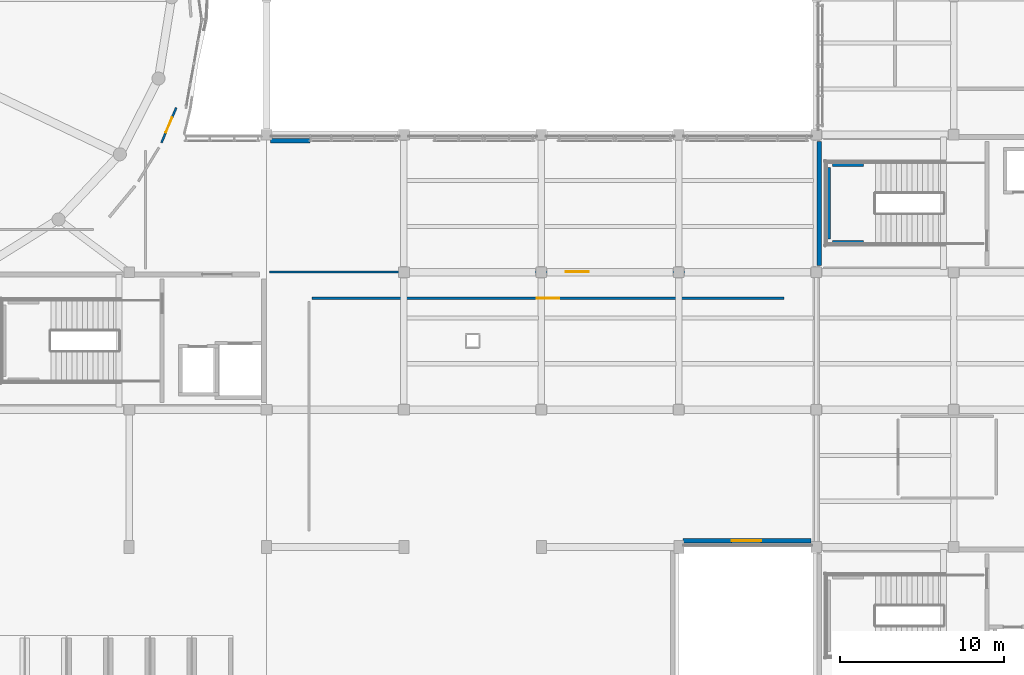
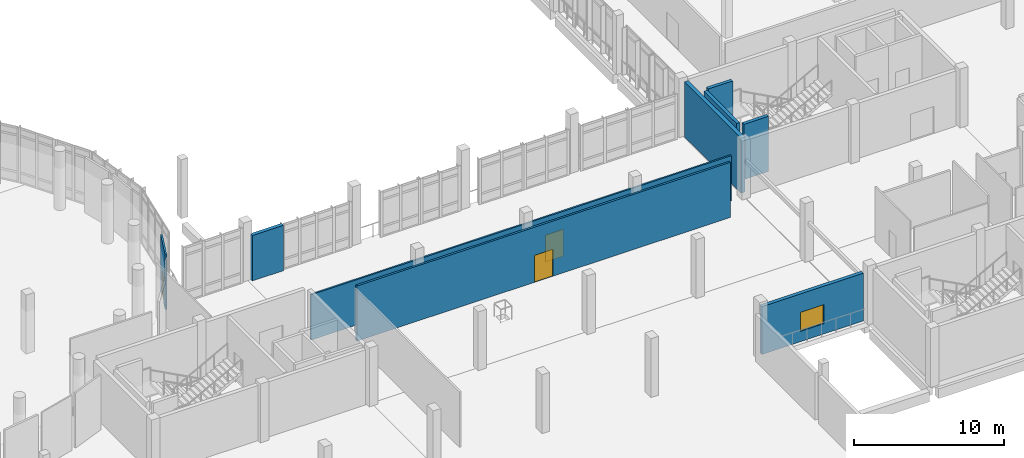
# One storey, part 43 of 63: 9 walls, 3 doors, 1 window, 4 openings.
"""IFC4 building model written with IfcOpenShell, lengths in metres."""

from ifc_helpers import new_model, si_unit, derived_unit, direction, frame, frame_2d, origin, place, context, subcontext, project, spatial, rectangle, extrude, material, layer, layer_set, type_object, element, fill, save


model = new_model("IFC4")

# Units and contexts
model_context = context("Model", 3, precision=1e-05, world=origin(), true_north=direction((0.0, 1.0)))
body_context = subcontext(model_context, "Body", "Model", "MODEL_VIEW")
ifc_project = project(units=[si_unit("LENGTHUNIT", "METRE"), si_unit("AREAUNIT", "SQUARE_METRE"), si_unit("VOLUMEUNIT", "CUBIC_METRE"), si_unit("PLANEANGLEUNIT", "RADIAN"), si_unit("MASSUNIT", "GRAM", prefix="KILO"), derived_unit("THERMALTRANSMITTANCEUNIT", [(si_unit("POWERUNIT", "WATT"), 1), (si_unit("LENGTHUNIT", "METRE"), -2), (si_unit("THERMODYNAMICTEMPERATUREUNIT", "KELVIN"), -1)])], contexts=[model_context])

# Site, building, storey
site_placement = place(None, origin())
site = spatial("IfcSite", under=ifc_project, at=site_placement, CompositionType="ELEMENT")
building_placement = place(site_placement, origin())
building = spatial("IfcBuilding", under=site, at=building_placement, Name="Elbkamm Science Centre", CompositionType="ELEMENT")
storey_placement = place(building_placement, frame((0.0, 0.0, 5.10009765625)))
storey = spatial("IfcBuildingStorey", under=building, at=storey_placement, Name="L01", CompositionType="ELEMENT", Elevation=5.10009765625)

# Walls
ifc_material_1 = material(Name="Reinforced concrete C40/50", Category="concrete")
ifc_layer_1 = layer(ifc_material_1, 0.25)
ifc_layer_set_1 = layer_set([ifc_layer_1], Name="Reinforced concrete C40/50")
wall_type_1 = type_object("IfcWallType", Name="WL-CORE-250", PredefinedType="SHEAR", material=ifc_layer_set_1)
wall_1_placement = place(storey_placement, frame((126.739990234375, 52.419921875, 0.0), z_axis=(0.0, 0.0, 1.0), x_axis=(0.0, 1.0, 0.0)))
element("IfcWall", 1, at=wall_1_placement, inside=storey, type_object=wall_type_1, Name="L01 ST-C3 Shaft Bearing Wall W", PredefinedType="SHEAR", context=body_context, shape_type="SweptSolid", body=[
    extrude(rectangle(XDim=4.360107421875, YDim=0.25, at=frame_2d((2.18017578125, 0.0))), origin(), (0.0, 0.0, 1.0), 4.5),
])
for number, where, z_axis, x_axis, name in (
    (2, (126.989990234375, 52.219970703125, 0.0), (0.0, 0.0, 1.0), (1.0, 0.0, 0.0), "L01 ST-C3 Shaft Bearing Wall S"),
    (3, (126.989990234375, 56.97998046875, 0.0), (0.0, 0.0, 1.0), (1.0, 0.0, 0.0), "L01 ST-C3 Shaft Bearing Wall N"),
):
    element("IfcWall", number, at=place(storey_placement, frame(where, z_axis=z_axis, x_axis=x_axis)), inside=storey, type_object=wall_type_1, Name=name, PredefinedType="SHEAR", context=body_context, shape_type="SweptSolid", body=[
        extrude(rectangle(XDim=1.889892578125, YDim=0.25, at=frame_2d((0.94482421875, 0.0))), origin(), (0.0, 0.0, 1.0), 4.5),
    ])
ifc_layer_2 = layer(ifc_material_1, 0.300048828125)
ifc_layer_set_2 = layer_set([ifc_layer_2], Name="Reinforced concrete C40/50")
wall_type_2 = type_object("IfcWallType", Name="WL-CORE-300", PredefinedType="SHEAR", material=ifc_layer_set_2)
wall_2_placement = place(storey_placement, frame((126.179931640625, 50.820068359375, 0.0), z_axis=(0.0, 0.0, 1.0), x_axis=(0.0, 1.0, 0.0)))
element("IfcWall", 4, at=wall_2_placement, inside=storey, type_object=wall_type_2, Name="L01 Core C3 Northeast Laboratories and Observatory Core Shear Wall W", PredefinedType="SHEAR", context=body_context, shape_type="SweptSolid", body=[
    extrude(rectangle(XDim=7.559814453125, YDim=0.300048828125, at=frame_2d((3.77978515625, 0.0))), origin(), (0.0, 0.0, 1.0), 4.5),
])
ifc_material_2 = material(Name="White precast concrete C40/50", Category="concrete")
ifc_layer_3 = layer(ifc_material_2, 0.27001953125)
ifc_layer_set_3 = layer_set([ifc_layer_3], Name="White precast concrete C40/50")
wall_type_3 = type_object("IfcWallType", Name="WL-EXT-270", PredefinedType="SOLIDWALL", material=ifc_layer_set_3)
wall_3_placement = place(storey_placement, frame((92.63916015625, 58.419921875, 0.0), z_axis=(0.0, 0.0, 1.0), x_axis=(1.0, 0.0, 0.0)))
element("IfcWall", 5, at=wall_3_placement, inside=storey, type_object=wall_type_3, Name="L01 Exterior Wall 0183", PredefinedType="SOLIDWALL", context=body_context, shape_type="SweptSolid", body=[
    extrude(rectangle(XDim=2.405029296875, YDim=0.27001953125, at=frame_2d((1.20263671875, 0.0))), origin(), (0.0, 0.0, 1.0), 3.699951171875),
])

# Wall, opening, window
wall_4_placement = place(storey_placement, frame((125.673095703125, 33.97998046875, 0.0), z_axis=(0.0, 0.0, 1.0), x_axis=(-1.0, 0.0, 0.0)))
wall_4 = element("IfcWall", 6, at=wall_4_placement, inside=storey, type_object=wall_type_3, Name="L01 Exterior Wall 0187", PredefinedType="SOLIDWALL", context=body_context, shape_type="SweptSolid", body=[
    extrude(rectangle(XDim=7.833984375, YDim=0.27001953125, at=frame_2d((3.9169921875, 0.0))), origin(), (0.0, 0.0, 1.0), 3.89990234375),
])
opening_1_placement = place(wall_4_placement, frame((3.052001953125, 0.0, 0.85009765625)))
opening_1 = element("IfcOpeningElement", 7, at=opening_1_placement, cuts=wall_4, Name="Opening W-11", PredefinedType="OPENING", context=body_context, shape_type="SweptSolid", body=[
    extrude(rectangle(XDim=1.800048828125, YDim=1.550048828125, at=frame_2d((0.89990234375, 0.77490234375))), frame((0.0, 0.14697265625, 0.0), z_axis=(0.0, -1.0, 0.0), x_axis=(1.0, 0.0, 0.0)), (0.0, 0.0, 1.0), 0.2939453125),
])
ifc_material_3 = material(Name="Thermally broken aluminium and triple solar glass", Category="aluminium")
ifc_layer_4 = layer(ifc_material_3, 0.06005859375)
ifc_layer_set_4 = layer_set([ifc_layer_4], Name="Thermally broken aluminium and triple solar glass")
window_type = type_object("IfcWindowType", Name="WIN-1800x1550", PartitioningType="DOUBLE_PANEL_VERTICAL", PredefinedType="WINDOW", material=ifc_layer_set_4)
window_placement = place(opening_1_placement, origin())
window = element("IfcWindow", 8, at=window_placement, inside=storey, type_object=window_type, Name="L01 Facade Window 0030", OverallHeight=1.550048828125, OverallWidth=1.800048828125, PartitioningType="SINGLE_PANEL", PredefinedType="WINDOW", context=body_context, shape_type="SweptSolid", body=[
    extrude(rectangle(XDim=1.800048828125, YDim=1.550048828125, at=frame_2d((0.89990234375, 0.77490234375))), frame((0.0, 0.030029296875, 0.0), z_axis=(0.0, -1.0, 0.0), x_axis=(1.0, 0.0, 0.0)), (0.0, 0.0, 1.0), 0.06005859375),
])
fill(opening_1, window)

# Wall, opening, door
ifc_material_4 = material(Name="Lightweight metal-stud gypsum partition", Category="gypsum")
ifc_layer_5 = layer(ifc_material_4, 0.125)
ifc_layer_set_5 = layer_set([ifc_layer_5], Name="Lightweight metal-stud gypsum partition")
wall_type_4 = type_object("IfcWallType", Name="WL-PART-125", PredefinedType="PARTITIONING", material=ifc_layer_set_5)
wall_5_placement = place(storey_placement, frame((86.88525390625, 60.457763671875, 0.0), z_axis=(0.0, 0.0, 1.0), x_axis=(-0.388038245824, -0.921643271433, 0.0)))
wall_5 = element("IfcWall", 9, at=wall_5_placement, inside=storey, type_object=wall_type_4, Name="L01 Marine Ecology Exhibition Hall Partition 0110", PredefinedType="PARTITIONING", context=body_context, shape_type="SweptSolid", body=[
    extrude(rectangle(XDim=2.327880859375, YDim=0.125, at=frame_2d((1.1640625, 0.0))), origin(), (0.0, 0.0, 1.0), 4.5),
])
opening_2_placement = place(wall_5_placement, frame((0.663818359375, 0.0, 0.0)))
opening_2 = element("IfcOpeningElement", 10, at=opening_2_placement, cuts=wall_5, Name="Opening DI-08", PredefinedType="OPENING", context=body_context, shape_type="SweptSolid", body=[
    extrude(rectangle(XDim=1.0, YDim=2.14990234375, at=frame_2d((0.5, 1.074951171875))), frame((0.0, 0.074462890625, 0.0), z_axis=(0.0, -1.0, 0.0), x_axis=(1.0, 0.0, 0.0)), (0.0, 0.0, 1.0), 0.14892578125),
])
ifc_material_5 = material(Name="Acoustic oak veneer door")
ifc_layer_6 = layer(ifc_material_5, 0.050048828125)
ifc_layer_set_6 = layer_set([ifc_layer_6], Name="Acoustic oak veneer door")
door_type_1 = type_object("IfcDoorType", Name="DR-INT-1000x2150", OperationType="NOTDEFINED", PredefinedType="DOOR", material=ifc_layer_set_6)
door_1_placement = place(opening_2_placement, origin())
door_1 = element("IfcDoor", 11, at=door_1_placement, inside=storey, type_object=door_type_1, Name="L01 Marine Ecology Exhibition Hall Door", OperationType="SINGLE_SWING_LEFT", OverallHeight=2.14990234375, OverallWidth=1.0, PredefinedType="DOOR", context=body_context, shape_type="SweptSolid", body=[
    extrude(rectangle(XDim=1.0, YDim=2.14990234375, at=frame_2d((0.5, 1.074951171875))), frame((0.0, 0.02490234375, 0.0), z_axis=(0.0, -1.0, 0.0), x_axis=(1.0, 0.0, 0.0)), (0.0, 0.0, 1.0), 0.050048828125),
])
fill(opening_2, door_1)

wall_6_placement = place(storey_placement, frame((125.02001953125, 50.419921875, 0.0), z_axis=(0.0, 0.0, 1.0), x_axis=(-1.0, 0.0, 0.0)))
wall_6 = element("IfcWall", 12, at=wall_6_placement, inside=storey, type_object=wall_type_4, Name="L01 Warft Plinth Discovery Concourse Partition 0126", PredefinedType="PARTITIONING", context=body_context, shape_type="SweptSolid", body=[
    extrude(rectangle(XDim=32.43994140625, YDim=0.125, at=frame_2d((16.219970703125, 0.0))), origin(), (0.0, 0.0, 1.0), 3.699951171875),
])
opening_3_placement = place(wall_6_placement, frame((12.9248046875, 0.0, 0.0)))
opening_3 = element("IfcOpeningElement", 13, at=opening_3_placement, cuts=wall_6, Name="Opening DI-03", PredefinedType="OPENING", context=body_context, shape_type="SweptSolid", body=[
    extrude(rectangle(XDim=1.39990234375, YDim=2.199951171875, at=frame_2d((0.699951171875, 1.10009765625))), frame((0.0, 0.074462890625, 0.0), z_axis=(0.0, -1.0, 0.0), x_axis=(1.0, 0.0, 0.0)), (0.0, 0.0, 1.0), 0.14892578125),
])
ifc_layer_7 = layer(ifc_material_5, 0.050048828125)
ifc_layer_set_7 = layer_set([ifc_layer_7], Name="Acoustic oak veneer door")
door_type_2 = type_object("IfcDoorType", Name="DR-INT-1400x2200", OperationType="DOUBLE_DOOR_SINGLE_SWING", PredefinedType="DOOR", material=ifc_layer_set_7)
door_2_placement = place(opening_3_placement, origin())
door_2 = element("IfcDoor", 14, at=door_2_placement, inside=storey, type_object=door_type_2, Name="L01 Warft Plinth Discovery Concourse Door", OperationType="DOUBLE_DOOR_SINGLE_SWING", OverallHeight=2.199951171875, OverallWidth=1.39990234375, PredefinedType="DOOR", context=body_context, shape_type="SweptSolid", body=[
    extrude(rectangle(XDim=1.39990234375, YDim=2.199951171875, at=frame_2d((0.699951171875, 1.10009765625))), frame((0.0, 0.02490234375, 0.0), z_axis=(0.0, -1.0, 0.0), x_axis=(1.0, 0.0, 0.0)), (0.0, 0.0, 1.0), 0.050048828125),
])
fill(opening_3, door_2)

ifc_material_6 = material(Name="Acoustic metal-stud gypsum partition", Category="gypsum")
ifc_layer_8 = layer(ifc_material_6, 0.159912109375)
ifc_layer_set_8 = layer_set([ifc_layer_8], Name="Acoustic metal-stud gypsum partition")
wall_type_5 = type_object("IfcWallType", Name="WL-PART-160", PredefinedType="PARTITIONING", material=ifc_layer_set_8)
wall_7_placement = place(storey_placement, frame((95.179931640625, 48.800048828125, 0.0), z_axis=(0.0, 0.0, 1.0), x_axis=(1.0, 0.0, 0.0)))
wall_7 = element("IfcWall", 15, at=wall_7_placement, inside=storey, type_object=wall_type_5, Name="L01 Interactive Discovery Studio Partition 0124", PredefinedType="PARTITIONING", context=body_context, shape_type="SweptSolid", body=[
    extrude(rectangle(XDim=28.840087890625, YDim=0.159912109375, at=frame_2d((14.419921875, 0.0))), origin(), (0.0, 0.0, 1.0), 4.5),
])
opening_4_placement = place(wall_7_placement, frame((13.719970703125, 0.0, 0.0)))
opening_4 = element("IfcOpeningElement", 16, at=opening_4_placement, cuts=wall_7, Name="Opening DI-03", PredefinedType="OPENING", context=body_context, shape_type="SweptSolid", body=[
    extrude(rectangle(XDim=1.39990234375, YDim=2.199951171875, at=frame_2d((0.699951171875, 1.10009765625))), frame((0.0, 0.091796875, 0.0), z_axis=(0.0, -1.0, 0.0), x_axis=(1.0, 0.0, 0.0)), (0.0, 0.0, 1.0), 0.183837890625),
])
door_3_placement = place(opening_4_placement, origin())
door_3 = element("IfcDoor", 17, at=door_3_placement, inside=storey, type_object=door_type_2, Name="L01 Interactive Discovery Studio Door", OperationType="DOUBLE_DOOR_SINGLE_SWING", OverallHeight=2.199951171875, OverallWidth=1.39990234375, PredefinedType="DOOR", context=body_context, shape_type="SweptSolid", body=[
    extrude(rectangle(XDim=1.39990234375, YDim=2.199951171875, at=frame_2d((0.699951171875, 1.10009765625))), frame((0.0, 0.02490234375, 0.0), z_axis=(0.0, -1.0, 0.0), x_axis=(1.0, 0.0, 0.0)), (0.0, 0.0, 1.0), 0.050048828125),
])
fill(opening_4, door_3)

save(model, "model.ifc")
